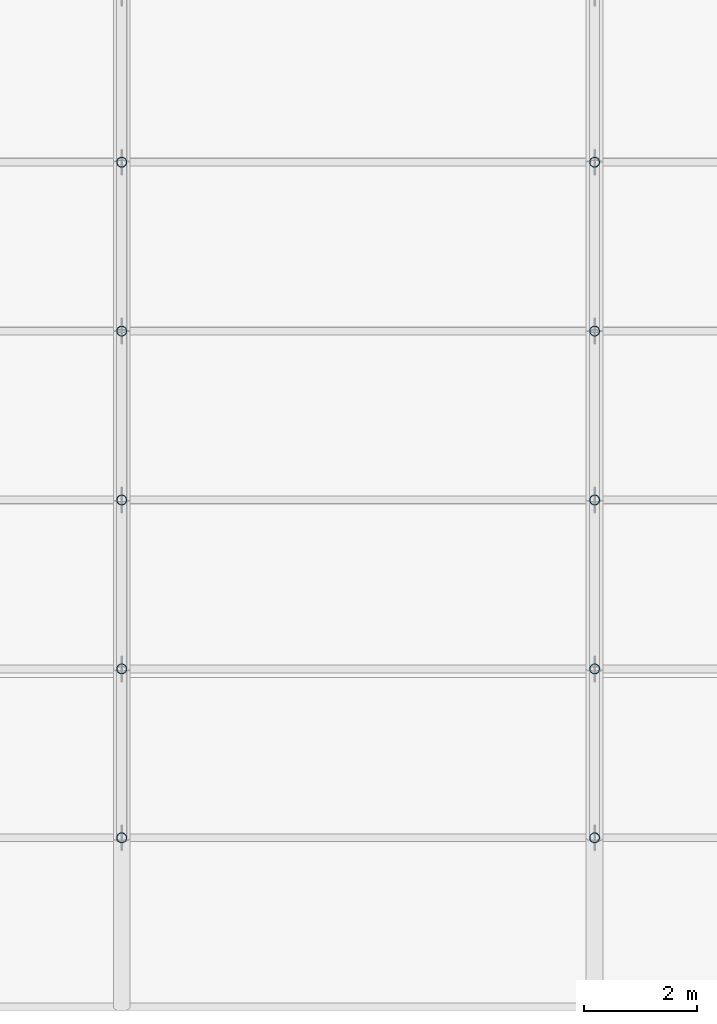
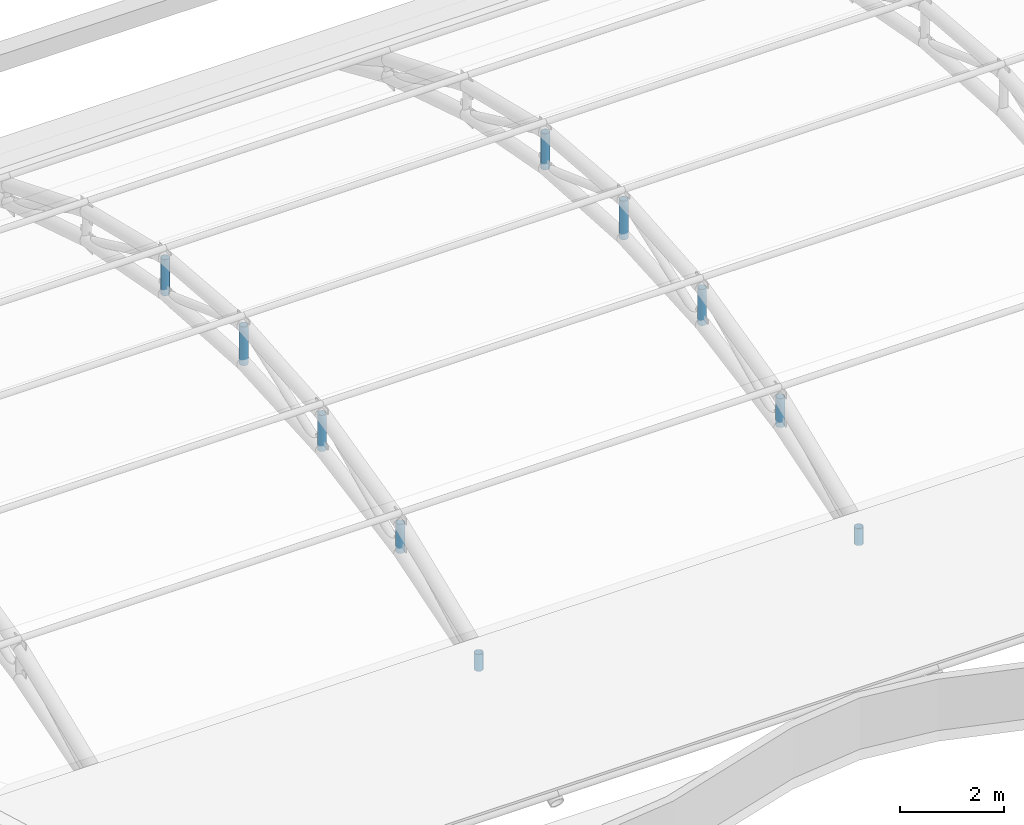
# One storey, part 74 of 163: 10 members.
"""IFC4 building model written with IfcOpenShell, lengths in metres."""

from ifc_helpers import new_model, si_unit, direction, frame, origin, origin_2d, place, context, subcontext, project, spatial, hollow_circle, extrude, material, material_profile, profile_set, type_object, element, save


model = new_model("IFC4")

# Units and contexts
model_context = context("Model", 3, precision=1e-05, world=origin(), true_north=direction((0.0, 1.0)))
body_context = subcontext(model_context, "Body", "Model", "MODEL_VIEW")
ifc_project = project(units=[si_unit("LENGTHUNIT", "METRE"), si_unit("AREAUNIT", "SQUARE_METRE"), si_unit("VOLUMEUNIT", "CUBIC_METRE"), si_unit("PLANEANGLEUNIT", "RADIAN"), si_unit("MASSUNIT", "GRAM", prefix="KILO")], contexts=[model_context])

# Site, building, storey
site_placement = place(None, origin())
site = spatial("IfcSite", under=ifc_project, at=site_placement, CompositionType="ELEMENT")
building_placement = place(site_placement, origin())
building = spatial("IfcBuilding", under=site, at=building_placement, Name="Rain Tree Exposition and Congress Centre", CompositionType="ELEMENT")
storey_placement = place(building_placement, frame((0.0, 0.0, 10.5)))
storey = spatial("IfcBuildingStorey", under=building, at=storey_placement, Name="L02", CompositionType="ELEMENT", Elevation=10.5)

# Members
ifc_material = material(Name="Steel S355J2H", Category="steel")
ifc_material_profile = material_profile(ifc_material, hollow_circle(Radius=0.090087890625, WallThickness=0.008056640625, at=origin_2d()), Name="CHS 180x8")
ifc_profile_set = profile_set([ifc_material_profile], Name="Steel S355J2H")
member_type = type_object("IfcMemberType", Name="Steel post member CHS 180x8", PredefinedType="POST", material=ifc_profile_set)
member_1_placement = place(storey_placement, frame((109.199951171875, 78.60009765625, 1.4423828125), z_axis=(0.0, 0.0, 1.0), x_axis=(1.0, 0.0, 0.0)))
element("IfcMember", 1, at=member_1_placement, inside=storey, type_object=member_type, Name="Roof truss 14 post 1", PredefinedType="POST", context=body_context, shape_type="SweptSolid", body=[
    extrude(hollow_circle(Radius=0.090087890625, WallThickness=0.008056640625, at=origin_2d()), origin(), (0.0, 0.0, 1.0), 0.393798828125),
])
member_2_placement = place(storey_placement, frame((109.199951171875, 81.60009765625, 2.3798828125), z_axis=(0.0, 0.0, 1.0), x_axis=(1.0, 0.0, 0.0)))
element("IfcMember", 2, at=member_2_placement, inside=storey, type_object=member_type, Name="Roof truss 14 post 2", PredefinedType="POST", context=body_context, shape_type="SweptSolid", body=[
    extrude(hollow_circle(Radius=0.090087890625, WallThickness=0.008056640625, at=origin_2d()), origin(), (0.0, 0.0, 1.0), 0.675048828125),
])
member_3_placement = place(storey_placement, frame((109.199951171875, 84.60009765625, 2.9423828125), z_axis=(0.0, 0.0, 1.0), x_axis=(1.0, 0.0, 0.0)))
element("IfcMember", 3, at=member_3_placement, inside=storey, type_object=member_type, Name="Roof truss 14 post 3", PredefinedType="POST", context=body_context, shape_type="SweptSolid", body=[
    extrude(hollow_circle(Radius=0.090087890625, WallThickness=0.008056640625, at=origin_2d()), origin(), (0.0, 0.0, 1.0), 0.843994140625),
])
member_4_placement = place(storey_placement, frame((109.199951171875, 87.60009765625, 3.1298828125), z_axis=(0.0, 0.0, 1.0), x_axis=(1.0, 0.0, 0.0)))
element("IfcMember", 4, at=member_4_placement, inside=storey, type_object=member_type, Name="Roof truss 14 post 4", PredefinedType="POST", context=body_context, shape_type="SweptSolid", body=[
    extrude(hollow_circle(Radius=0.090087890625, WallThickness=0.008056640625, at=origin_2d()), origin(), (0.0, 0.0, 1.0), 0.900146484375),
])
member_5_placement = place(storey_placement, frame((109.199951171875, 90.60009765625, 2.9423828125), z_axis=(0.0, 0.0, 1.0), x_axis=(1.0, 0.0, 0.0)))
element("IfcMember", 5, at=member_5_placement, inside=storey, type_object=member_type, Name="Roof truss 14 post 5", PredefinedType="POST", context=body_context, shape_type="SweptSolid", body=[
    extrude(hollow_circle(Radius=0.090087890625, WallThickness=0.008056640625, at=origin_2d()), origin(), (0.0, 0.0, 1.0), 0.843994140625),
])
member_6_placement = place(storey_placement, frame((117.60009765625, 78.60009765625, 1.4423828125), z_axis=(0.0, 0.0, 1.0), x_axis=(1.0, 0.0, 0.0)))
element("IfcMember", 6, at=member_6_placement, inside=storey, type_object=member_type, Name="Roof truss 15 post 1", PredefinedType="POST", context=body_context, shape_type="SweptSolid", body=[
    extrude(hollow_circle(Radius=0.090087890625, WallThickness=0.008056640625, at=origin_2d()), origin(), (0.0, 0.0, 1.0), 0.393798828125),
])
member_7_placement = place(storey_placement, frame((117.60009765625, 81.60009765625, 2.3798828125), z_axis=(0.0, 0.0, 1.0), x_axis=(1.0, 0.0, 0.0)))
element("IfcMember", 7, at=member_7_placement, inside=storey, type_object=member_type, Name="Roof truss 15 post 2", PredefinedType="POST", context=body_context, shape_type="SweptSolid", body=[
    extrude(hollow_circle(Radius=0.090087890625, WallThickness=0.008056640625, at=origin_2d()), origin(), (0.0, 0.0, 1.0), 0.675048828125),
])
member_8_placement = place(storey_placement, frame((117.60009765625, 84.60009765625, 2.9423828125), z_axis=(0.0, 0.0, 1.0), x_axis=(1.0, 0.0, 0.0)))
element("IfcMember", 8, at=member_8_placement, inside=storey, type_object=member_type, Name="Roof truss 15 post 3", PredefinedType="POST", context=body_context, shape_type="SweptSolid", body=[
    extrude(hollow_circle(Radius=0.090087890625, WallThickness=0.008056640625, at=origin_2d()), origin(), (0.0, 0.0, 1.0), 0.843994140625),
])
member_9_placement = place(storey_placement, frame((117.60009765625, 87.60009765625, 3.1298828125), z_axis=(0.0, 0.0, 1.0), x_axis=(1.0, 0.0, 0.0)))
element("IfcMember", 9, at=member_9_placement, inside=storey, type_object=member_type, Name="Roof truss 15 post 4", PredefinedType="POST", context=body_context, shape_type="SweptSolid", body=[
    extrude(hollow_circle(Radius=0.090087890625, WallThickness=0.008056640625, at=origin_2d()), origin(), (0.0, 0.0, 1.0), 0.900146484375),
])
member_10_placement = place(storey_placement, frame((117.60009765625, 90.60009765625, 2.9423828125), z_axis=(0.0, 0.0, 1.0), x_axis=(1.0, 0.0, 0.0)))
element("IfcMember", 10, at=member_10_placement, inside=storey, type_object=member_type, Name="Roof truss 15 post 5", PredefinedType="POST", context=body_context, shape_type="SweptSolid", body=[
    extrude(hollow_circle(Radius=0.090087890625, WallThickness=0.008056640625, at=origin_2d()), origin(), (0.0, 0.0, 1.0), 0.843994140625),
])

save(model, "model.ifc")
